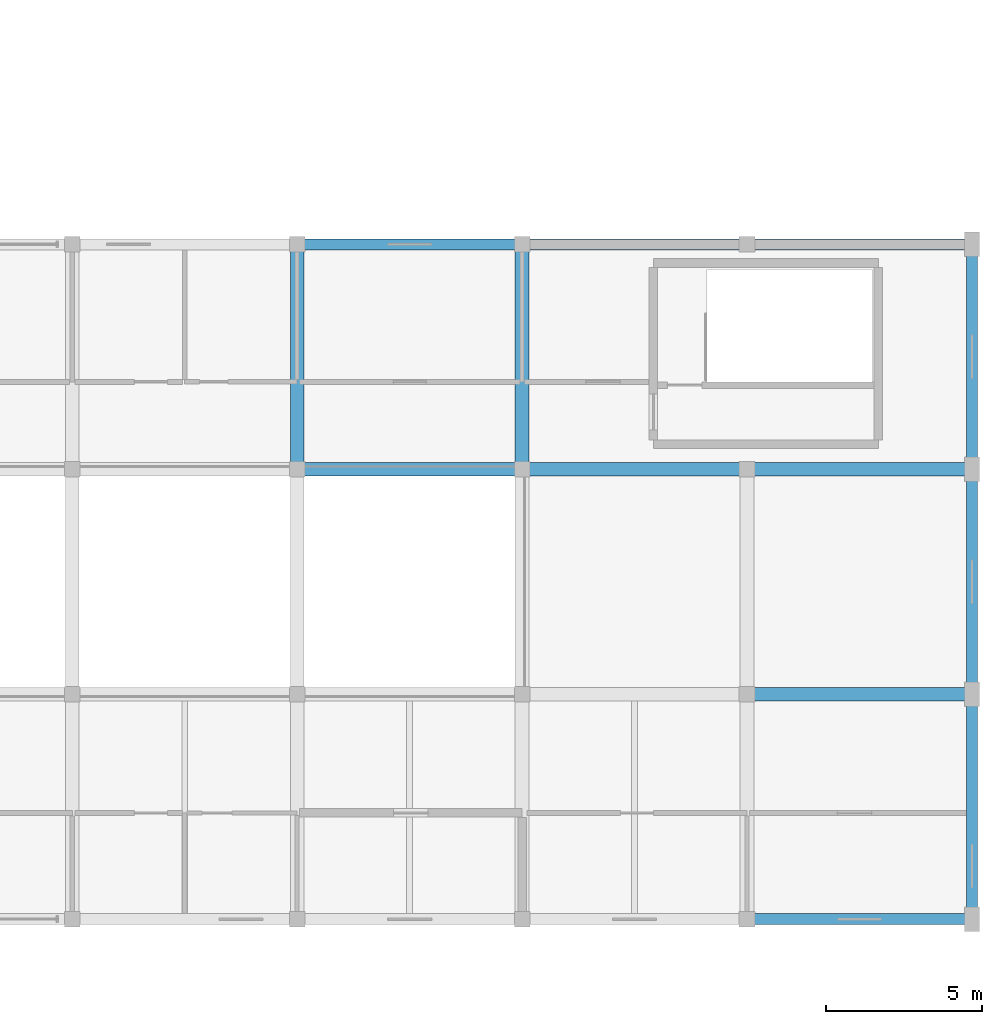
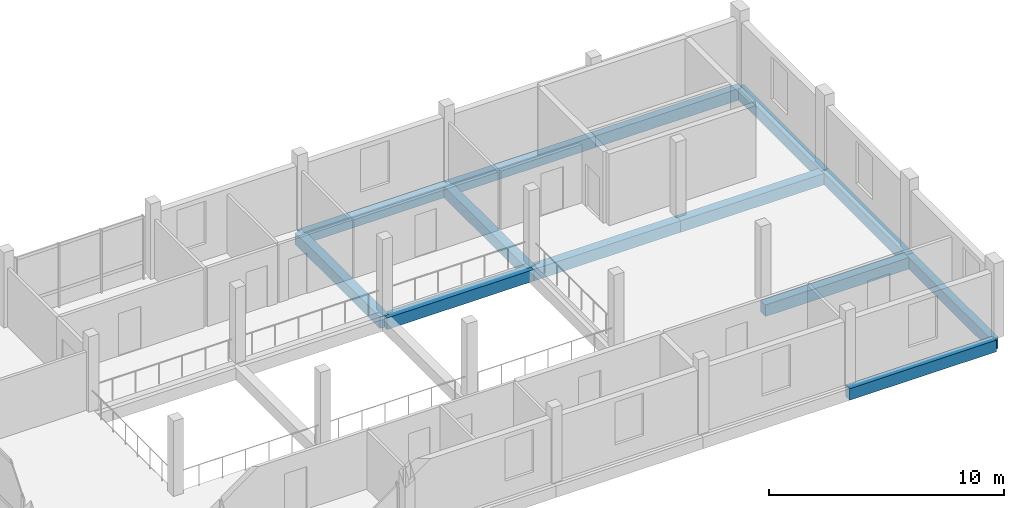
# One storey, part 82 of 128: 13 beams.
"""IFC4 building model written with IfcOpenShell, lengths in metres."""

from ifc_helpers import new_model, si_unit, direction, frame, origin, origin_2d, place, context, subcontext, project, spatial, rectangle, extrude, material, material_profile, profile_set, type_object, element, save


model = new_model("IFC4")

# Units and contexts
model_context = context("Model", 3, precision=1e-05, world=origin(), true_north=direction((0.0, 1.0)))
body_context = subcontext(model_context, "Body", "Model", "MODEL_VIEW")
ifc_project = project(units=[si_unit("LENGTHUNIT", "METRE"), si_unit("AREAUNIT", "SQUARE_METRE"), si_unit("VOLUMEUNIT", "CUBIC_METRE"), si_unit("PLANEANGLEUNIT", "RADIAN"), si_unit("MASSUNIT", "GRAM", prefix="KILO")], contexts=[model_context])

# Site, building, storey
site_placement = place(None, origin())
site = spatial("IfcSite", under=ifc_project, at=site_placement, CompositionType="ELEMENT")
building_placement = place(site_placement, origin())
building = spatial("IfcBuilding", under=site, at=building_placement, Name="Zornivar Specialist Clinic", CompositionType="ELEMENT")
storey_placement = place(building_placement, frame((0.0, 0.0, 4.5)))
storey = spatial("IfcBuildingStorey", under=building, at=storey_placement, Name="L01", CompositionType="ELEMENT", Elevation=4.5)

# Beams
ifc_material_1 = material(Name="Concrete C30/37", Category="concrete")
ifc_material_profile_1 = material_profile(ifc_material_1, rectangle(XDim=0.43994140625, YDim=0.60009765625, at=origin_2d()), Name="RC 440x600")
ifc_profile_set_1 = profile_set([ifc_material_profile_1], Name="Concrete C30/37")
beam_type_1 = type_object("IfcBeamType", Name="BM-RC-440x600", PredefinedType="BEAM", material=ifc_profile_set_1)
beam_1_placement = place(storey_placement, frame((158.39990234375, 7.199951171875, -0.56005859375), z_axis=(1.0, 0.0, 0.0), x_axis=(0.0, 1.0, 0.0)))
element("IfcBeam", 1, at=beam_1_placement, inside=storey, type_object=beam_type_1, Name="bm:V4:L01:x:72:5", PredefinedType="BEAM", context=body_context, shape_type="SweptSolid", body=[
    extrude(rectangle(XDim=0.43994140625, YDim=0.60009765625, at=origin_2d()), origin(), (0.0, 0.0, 1.0), 7.2001953125),
])
for number, where, z_axis, x_axis, name in (
    (2, (144.0, 14.39990234375, -0.56005859375), (1.0, 0.0, 0.0), (0.0, 1.0, 0.0), "bm:V4:L01:x:144:3"),
    (3, (151.199951171875, 14.39990234375, -0.56005859375), (1.0, 0.0, 0.0), (0.0, 1.0, 0.0), "bm:V4:L01:x:144:4"),
):
    element("IfcBeam", number, at=place(storey_placement, frame(where, z_axis=z_axis, x_axis=x_axis)), inside=storey, type_object=beam_type_1, Name=name, PredefinedType="BEAM", context=body_context, shape_type="SweptSolid", body=[
        extrude(rectangle(XDim=0.43994140625, YDim=0.60009765625, at=origin_2d()), origin(), (0.0, 0.0, 1.0), 7.199951171875),
    ])
for number, where, z_axis, x_axis, name in (
    (4, (158.39990234375, 14.39990234375, -0.56005859375), (1.0, 0.0, 0.0), (0.0, 1.0, 0.0), "bm:V4:L01:x:144:5"),
    (5, (144.0, 14.39990234375, -0.56005859375), (0.0, 1.0, 0.0), (-1.0, 0.0, 0.0), "bm:V4:L01:y:1440:2"),
    (6, (151.199951171875, 14.39990234375, -0.56005859375), (0.0, 1.0, 0.0), (-1.0, 0.0, 0.0), "bm:V4:L01:y:1512:2"),
):
    element("IfcBeam", number, at=place(storey_placement, frame(where, z_axis=z_axis, x_axis=x_axis)), inside=storey, type_object=beam_type_1, Name=name, PredefinedType="BEAM", context=body_context, shape_type="SweptSolid", body=[
        extrude(rectangle(XDim=0.43994140625, YDim=0.60009765625, at=origin_2d()), origin(), (0.0, 0.0, 1.0), 7.2001953125),
    ])
ifc_material_2 = material(Name="Concrete C30/37", Category="concrete")
ifc_material_profile_2 = material_profile(ifc_material_2, rectangle(XDim=0.35009765625, YDim=0.60009765625, at=origin_2d()), Name="RC 350x600")
ifc_profile_set_2 = profile_set([ifc_material_profile_2], Name="Concrete C30/37")
beam_type_2 = type_object("IfcBeamType", Name="BM-RC-SPANDREL-350x600", PredefinedType="SPANDREL", material=ifc_profile_set_2)
beam_2_placement = place(storey_placement, frame((158.39990234375, 0.0, -0.56005859375), z_axis=(1.0, 0.0, 0.0), x_axis=(0.0, 1.0, 0.0)))
element("IfcBeam", 7, at=beam_2_placement, inside=storey, type_object=beam_type_2, Name="bm:V4:L01:x:0:5", PredefinedType="SPANDREL", context=body_context, shape_type="SweptSolid", body=[
    extrude(rectangle(XDim=0.35009765625, YDim=0.60009765625, at=origin_2d()), origin(), (0.0, 0.0, 1.0), 7.2001953125),
])
for number, where, z_axis, x_axis, name in (
    (8, (144.0, 21.60009765625, -0.56005859375), (1.0, 0.0, 0.0), (0.0, 1.0, 0.0), "bm:V4:L01:x:216:3"),
    (9, (151.199951171875, 21.60009765625, -0.56005859375), (1.0, 0.0, 0.0), (0.0, 1.0, 0.0), "bm:V4:L01:x:216:4"),
):
    element("IfcBeam", number, at=place(storey_placement, frame(where, z_axis=z_axis, x_axis=x_axis)), inside=storey, type_object=beam_type_2, Name=name, PredefinedType="SPANDREL", context=body_context, shape_type="SweptSolid", body=[
        extrude(rectangle(XDim=0.35009765625, YDim=0.60009765625, at=origin_2d()), origin(), (0.0, 0.0, 1.0), 7.199951171875),
    ])
beam_3_placement = place(storey_placement, frame((158.39990234375, 21.60009765625, -0.56005859375), z_axis=(1.0, 0.0, 0.0), x_axis=(0.0, 1.0, 0.0)))
element("IfcBeam", 10, at=beam_3_placement, inside=storey, type_object=beam_type_2, Name="bm:V4:L01:x:216:5", PredefinedType="SPANDREL", context=body_context, shape_type="SweptSolid", body=[
    extrude(rectangle(XDim=0.35009765625, YDim=0.60009765625, at=origin_2d()), origin(), (0.0, 0.0, 1.0), 7.2001953125),
])
for number, where, z_axis, x_axis, name in (
    (11, (165.60009765625, 0.0, -0.56005859375), (0.0, 1.0, 0.0), (-1.0, 0.0, 0.0), "bm:V4:L01:y:1656:0"),
    (12, (165.60009765625, 7.199951171875, -0.56005859375), (0.0, 1.0, 0.0), (-1.0, 0.0, 0.0), "bm:V4:L01:y:1656:1"),
):
    element("IfcBeam", number, at=place(storey_placement, frame(where, z_axis=z_axis, x_axis=x_axis)), inside=storey, type_object=beam_type_2, Name=name, PredefinedType="SPANDREL", context=body_context, shape_type="SweptSolid", body=[
        extrude(rectangle(XDim=0.35009765625, YDim=0.60009765625, at=origin_2d()), origin(), (0.0, 0.0, 1.0), 7.199951171875),
    ])
beam_4_placement = place(storey_placement, frame((165.60009765625, 14.39990234375, -0.56005859375), z_axis=(0.0, 1.0, 0.0), x_axis=(-1.0, 0.0, 0.0)))
element("IfcBeam", 13, at=beam_4_placement, inside=storey, type_object=beam_type_2, Name="bm:V4:L01:y:1656:2", PredefinedType="SPANDREL", context=body_context, shape_type="SweptSolid", body=[
    extrude(rectangle(XDim=0.35009765625, YDim=0.60009765625, at=origin_2d()), origin(), (0.0, 0.0, 1.0), 7.2001953125),
])

save(model, "model.ifc")
